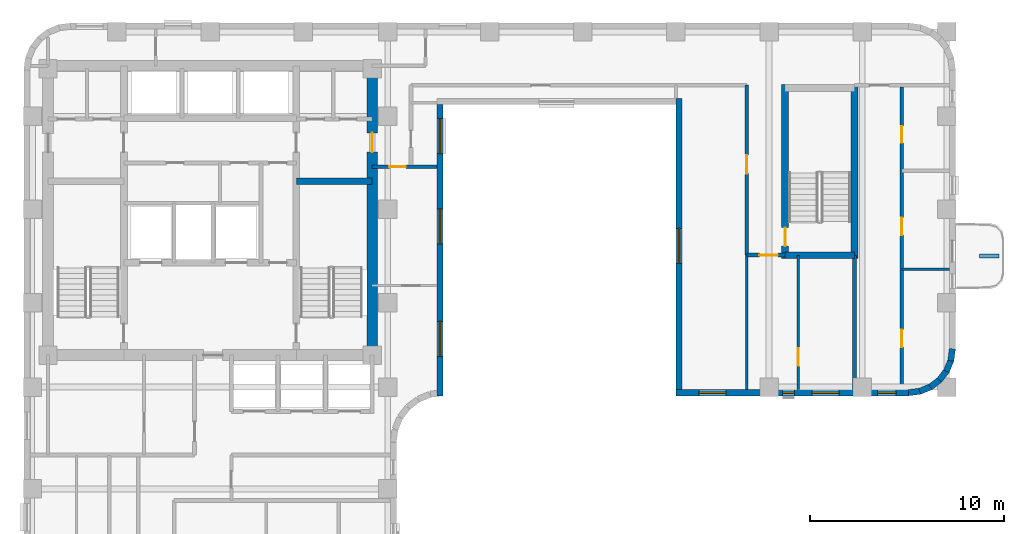
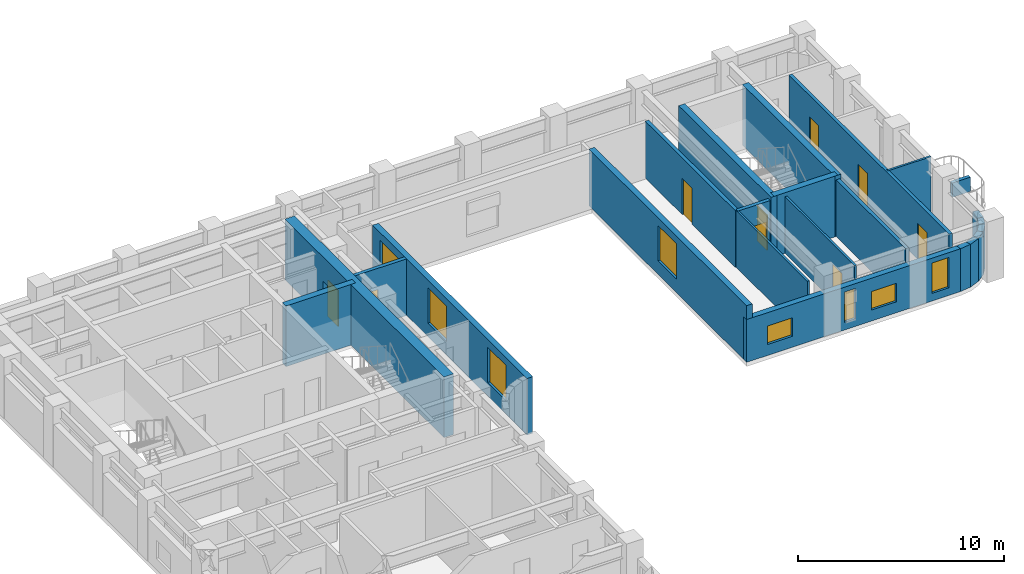
# One storey, part 5 of 10: 23 walls, 9 doors, 8 windows, 17 openings.
"""IFC4 building model written with IfcOpenShell, lengths in metres."""

from ifc_helpers import new_model, si_unit, direction, frame, frame_2d, origin, place, context, subcontext, project, spatial, rectangle, extrude, material, layer, layer_set, type_object, element, fill, save


model = new_model("IFC4")

# Units and contexts
model_context = context("Model", 3, precision=1e-05, world=origin(), true_north=direction((0.0, 1.0)))
body_context = subcontext(model_context, "Body", "Model", "MODEL_VIEW")
ifc_project = project(units=[si_unit("LENGTHUNIT", "METRE"), si_unit("AREAUNIT", "SQUARE_METRE"), si_unit("VOLUMEUNIT", "CUBIC_METRE"), si_unit("PLANEANGLEUNIT", "RADIAN"), si_unit("MASSUNIT", "GRAM", prefix="KILO")], contexts=[model_context])

# Site, building, storey
site_placement = place(None, origin())
site = spatial("IfcSite", under=ifc_project, at=site_placement, CompositionType="ELEMENT")
building_placement = place(site_placement, origin())
building = spatial("IfcBuilding", under=site, at=building_placement, Name="Orvandelia Arch Residences", CompositionType="ELEMENT")
storey_placement = place(building_placement, frame((0.0, 0.0, 182.800048828125)))
storey = spatial("IfcBuildingStorey", under=building, at=storey_placement, Name="L48", CompositionType="ELEMENT", Elevation=182.800048828125)

# Wall
ifc_material_1 = material(Name="Concrete C50/60", Category="concrete")
ifc_layer_1 = layer(ifc_material_1, 0.35009765625, Name="Concrete C50/60", Category="concrete")
ifc_layer_set_1 = layer_set([ifc_layer_1], Name="Concrete C50/60")
wall_type_1 = type_object("IfcWallType", Name="WL-CORE-350", PredefinedType="SHEAR", material=ifc_layer_set_1)
wall_1_placement = place(storey_placement, frame((18.840087890625, 39.85009765625, 0.0), z_axis=(0.0, 0.0, 1.0), x_axis=(1.0, 0.0, 0.0)))
element("IfcWall", 1, at=wall_1_placement, inside=storey, type_object=wall_type_1, Name="Core Shear Wall L48-HZ2", PredefinedType="SHEAR", context=body_context, shape_type="SweptSolid", body=[
    extrude(rectangle(XDim=3.909912109375, YDim=0.35009765625, at=frame_2d((1.955078125, 0.0))), origin(), (0.0, 0.0, 1.0), 3.599853515625),
])

# Wall, opening, door
wall_2_placement = place(storey_placement, frame((44.02001953125, 35.864990234375, 0.0), z_axis=(0.0, 0.0, 1.0), x_axis=(0.0, 1.0, 0.0)))
wall_2 = element("IfcWall", 2, at=wall_2_placement, inside=storey, type_object=wall_type_1, Name="East Stair Core Shear Wall L48-W", PredefinedType="SHEAR", context=body_context, shape_type="SweptSolid", body=[
    extrude(rectangle(XDim=8.969970703125, YDim=0.35009765625, at=frame_2d((4.48486328125, 0.0))), origin(), (0.0, 0.0, 1.0), 3.599853515625),
])
opening_1_placement = place(wall_2_placement, frame((0.64990234375, 0.0, 0.0)))
opening_1 = element("IfcOpeningElement", 3, at=opening_1_placement, cuts=wall_2, Name="Opening D7", PredefinedType="OPENING", context=body_context, shape_type="SweptSolid", body=[
    extrude(rectangle(XDim=0.949951171875, YDim=2.10009765625, at=frame_2d((0.47509765625, 1.050048828125))), frame((0.0, 0.18505859375, 0.0), z_axis=(0.0, -1.0, 0.0), x_axis=(1.0, 0.0, 0.0)), (0.0, 0.0, 1.0), 0.3701171875),
])
ifc_material_2 = material(Name="Pressurised Stairwell Fire Door")
door_type_1 = type_object("IfcDoorType", Name="DR-STAIR-950", OperationType="NOTDEFINED", PredefinedType="DOOR", material=ifc_material_2)
door_1_placement = place(opening_1_placement, origin())
door_1 = element("IfcDoor", 4, at=door_1_placement, inside=storey, type_object=door_type_1, Name="East Stairwell ST-3 Fire Door L48", OperationType="SINGLE_SWING_LEFT", OverallHeight=2.10009765625, OverallWidth=0.949951171875, PredefinedType="DOOR", context=body_context, shape_type="SweptSolid", body=[
    extrude(rectangle(XDim=0.949951171875, YDim=2.10009765625, at=frame_2d((0.47509765625, 1.050048828125))), frame((0.0, 0.02490234375, 0.0), z_axis=(0.0, -1.0, 0.0), x_axis=(1.0, 0.0, 0.0)), (0.0, 0.0, 1.0), 0.050048828125),
])
fill(opening_1, door_1)

# Walls
wall_3_placement = place(storey_placement, frame((47.60009765625, 35.864990234375, 0.0), z_axis=(0.0, 0.0, 1.0), x_axis=(0.0, 1.0, 0.0)))
element("IfcWall", 5, at=wall_3_placement, inside=storey, type_object=wall_type_1, Name="East Stair Core Shear Wall L48-E", PredefinedType="SHEAR", context=body_context, shape_type="SweptSolid", body=[
    extrude(rectangle(XDim=8.969970703125, YDim=0.35009765625, at=frame_2d((4.48486328125, 0.0))), origin(), (0.0, 0.0, 1.0), 3.599853515625),
])
wall_4_placement = place(storey_placement, frame((44.02001953125, 36.0400390625, 0.0), z_axis=(0.0, 0.0, 1.0), x_axis=(1.0, 0.0, 0.0)))
element("IfcWall", 6, at=wall_4_placement, inside=storey, type_object=wall_type_1, Name="East Stair Core Shear Wall L48-S", PredefinedType="SHEAR", context=body_context, shape_type="SweptSolid", body=[
    extrude(rectangle(XDim=3.580078125, YDim=0.35009765625, at=frame_2d((1.7900390625, 0.0))), origin(), (0.0, 0.0, 1.0), 3.599853515625),
])

# Wall, opening, door
ifc_material_3 = material(Name="Concrete C60/75", Category="concrete")
ifc_layer_2 = layer(ifc_material_3, 0.550048828125, Name="Concrete C60/75", Category="concrete")
ifc_layer_set_2 = layer_set([ifc_layer_2], Name="Concrete C60/75")
wall_type_2 = type_object("IfcWallType", Name="WL-CORE-550", PredefinedType="SHEAR", material=ifc_layer_set_2)
wall_5_placement = place(storey_placement, frame((22.75, 30.625, 0.0), z_axis=(0.0, 0.0, 1.0), x_axis=(0.0, 1.0, 0.0)))
wall_5 = element("IfcWall", 7, at=wall_5_placement, inside=storey, type_object=wall_type_2, Name="Core Shear Wall L48-E", PredefinedType="SHEAR", context=body_context, shape_type="SweptSolid", body=[
    extrude(rectangle(XDim=15.449951171875, YDim=0.550048828125, at=frame_2d((7.72509765625, 0.0))), origin(), (0.0, 0.0, 1.0), 3.599853515625),
])
opening_2_placement = place(wall_5_placement, frame((10.72509765625, 0.0, 0.0)))
opening_2 = element("IfcOpeningElement", 8, at=opening_2_placement, cuts=wall_5, Name="Opening D6", PredefinedType="OPENING", context=body_context, shape_type="SweptSolid", body=[
    extrude(rectangle(XDim=1.0, YDim=2.14990234375, at=frame_2d((0.5, 1.074951171875))), frame((0.0, 0.28515625, 0.0), z_axis=(0.0, -1.0, 0.0), x_axis=(1.0, 0.0, 0.0)), (0.0, 0.0, 1.0), 0.570068359375),
])
ifc_material_4 = material(Name="Smokeproof Painted Steel Fire Door", Category="steel")
door_type_2 = type_object("IfcDoorType", Name="DR-FD60-1000", OperationType="NOTDEFINED", PredefinedType="DOOR", material=ifc_material_4)
door_2_placement = place(opening_2_placement, origin())
door_2 = element("IfcDoor", 9, at=door_2_placement, inside=storey, type_object=door_type_2, Name="Core East Corridor Link Door L48", OperationType="SINGLE_SWING_LEFT", OverallHeight=2.14990234375, OverallWidth=1.0, PredefinedType="DOOR", context=body_context, shape_type="SweptSolid", body=[
    extrude(rectangle(XDim=1.0, YDim=2.14990234375, at=frame_2d((0.5, 1.074951171875))), frame((0.0, 0.02490234375, 0.0), z_axis=(0.0, -1.0, 0.0), x_axis=(1.0, 0.0, 0.0)), (0.0, 0.0, 1.0), 0.050048828125),
])
fill(opening_2, door_2)

ifc_material_5 = material(Name="Fire-Rated Corridor Partition")
ifc_layer_3 = layer(ifc_material_5, 0.199951171875, Name="Fire-Rated Corridor Partition")
ifc_layer_set_3 = layer_set([ifc_layer_3], Name="Fire-Rated Corridor Partition")
wall_type_3 = type_object("IfcWallType", Name="WL-CORR-200", PredefinedType="PARTITIONING", material=ifc_layer_set_3)
wall_6_placement = place(storey_placement, frame((22.75, 40.60009765625, 0.0), z_axis=(0.0, 0.0, 1.0), x_axis=(1.0, 0.0, 0.0)))
wall_6 = element("IfcWall", 10, at=wall_6_placement, inside=storey, type_object=wall_type_3, Name="Interior Partition Wall WL-L48-ENP-LS", PredefinedType="PARTITIONING", context=body_context, shape_type="SweptSolid", body=[
    extrude(rectangle(XDim=3.330078125, YDim=0.199951171875, at=frame_2d((1.6650390625, 0.0))), origin(), (0.0, 0.0, 1.0), 3.35986328125),
])
opening_3_placement = place(wall_6_placement, frame((0.8798828125, 0.0, 0.0)))
opening_3 = element("IfcOpeningElement", 11, at=opening_3_placement, cuts=wall_6, Name="Opening D4", PredefinedType="OPENING", context=body_context, shape_type="SweptSolid", body=[
    extrude(rectangle(XDim=0.860107421875, YDim=2.10009765625, at=frame_2d((0.43017578125, 1.050048828125))), frame((0.0, 0.10986328125, 0.0), z_axis=(0.0, -1.0, 0.0), x_axis=(1.0, 0.0, 0.0)), (0.0, 0.0, 1.0), 0.219970703125),
])
ifc_material_6 = material(Name="Moisture-Sealed Timber Bathroom Door", Category="wood")
door_type_3 = type_object("IfcDoorType", Name="DR-WET-900", OperationType="NOTDEFINED", PredefinedType="DOOR", material=ifc_material_6)
door_3_placement = place(opening_3_placement, origin())
door_3 = element("IfcDoor", 12, at=door_3_placement, inside=storey, type_object=door_type_3, Name="DR-L48-VPWL2", OperationType="SINGLE_SWING_RIGHT", OverallHeight=2.10009765625, OverallWidth=0.860107421875, PredefinedType="DOOR", context=body_context, shape_type="SweptSolid", body=[
    extrude(rectangle(XDim=0.860107421875, YDim=2.10009765625, at=frame_2d((0.43017578125, 1.050048828125))), frame((0.0, 0.02490234375, 0.0), z_axis=(0.0, -1.0, 0.0), x_axis=(1.0, 0.0, 0.0)), (0.0, 0.0, 1.0), 0.050048828125),
])
fill(opening_3, door_3)

wall_7_placement = place(storey_placement, frame((42.050048828125, 36.050048828125, 0.0), z_axis=(0.0, 0.0, 1.0), x_axis=(0.0, 1.0, 0.0)))
wall_7 = element("IfcWall", 13, at=wall_7_placement, inside=storey, type_object=wall_type_3, Name="Interior Partition Wall WL-L48-ENP-SW", PredefinedType="PARTITIONING", context=body_context, shape_type="SweptSolid", body=[
    extrude(rectangle(XDim=8.75, YDim=0.199951171875, at=frame_2d((4.375, 0.0))), origin(), (0.0, 0.0, 1.0), 3.35986328125),
])
opening_4_placement = place(wall_7_placement, frame((4.199951171875, 0.0, 0.0)))
opening_4 = element("IfcOpeningElement", 14, at=opening_4_placement, cuts=wall_7, Name="Opening D2", PredefinedType="OPENING", context=body_context, shape_type="SweptSolid", body=[
    extrude(rectangle(XDim=0.949951171875, YDim=2.14990234375, at=frame_2d((0.47509765625, 1.074951171875))), frame((0.0, 0.10986328125, 0.0), z_axis=(0.0, -1.0, 0.0), x_axis=(1.0, 0.0, 0.0)), (0.0, 0.0, 1.0), 0.219970703125),
])
ifc_material_7 = material(Name="Solid-Core Timber Interior Fire Door", Category="wood")
door_type_4 = type_object("IfcDoorType", Name="DR-APT-950", OperationType="NOTDEFINED", PredefinedType="DOOR", material=ifc_material_7)
door_4_placement = place(opening_4_placement, origin())
door_4 = element("IfcDoor", 15, at=door_4_placement, inside=storey, type_object=door_type_4, Name="DR-L48-VPE1", OperationType="SINGLE_SWING_LEFT", OverallHeight=2.14990234375, OverallWidth=0.949951171875, PredefinedType="DOOR", context=body_context, shape_type="SweptSolid", body=[
    extrude(rectangle(XDim=0.949951171875, YDim=2.14990234375, at=frame_2d((0.47509765625, 1.074951171875))), frame((0.0, 0.02490234375, 0.0), z_axis=(0.0, -1.0, 0.0), x_axis=(1.0, 0.0, 0.0)), (0.0, 0.0, 1.0), 0.050048828125),
])
fill(opening_4, door_4)

wall_8_placement = place(storey_placement, frame((42.050048828125, 36.050048828125, 0.0), z_axis=(0.0, 0.0, 1.0), x_axis=(1.0, 0.0, 0.0)))
wall_8 = element("IfcWall", 16, at=wall_8_placement, inside=storey, type_object=wall_type_3, Name="Interior Partition Wall WL-L48-ENP-SS", PredefinedType="PARTITIONING", context=body_context, shape_type="SweptSolid", body=[
    extrude(rectangle(XDim=1.969970703125, YDim=0.199951171875, at=frame_2d((0.98486328125, 0.0))), origin(), (0.0, 0.0, 1.0), 3.35986328125),
])
opening_5_placement = place(wall_8_placement, frame((0.64990234375, 0.0, 0.0)))
opening_5 = element("IfcOpeningElement", 17, at=opening_5_placement, cuts=wall_8, Name="Opening D2", PredefinedType="OPENING", context=body_context, shape_type="SweptSolid", body=[
    extrude(rectangle(XDim=0.949951171875, YDim=2.14990234375, at=frame_2d((0.47509765625, 1.074951171875))), frame((0.0, 0.10986328125, 0.0), z_axis=(0.0, -1.0, 0.0), x_axis=(1.0, 0.0, 0.0)), (0.0, 0.0, 1.0), 0.219970703125),
])
door_5_placement = place(opening_5_placement, origin())
door_5 = element("IfcDoor", 18, at=door_5_placement, inside=storey, type_object=door_type_4, Name="DR-L48-VPS3A", OperationType="SINGLE_SWING_LEFT", OverallHeight=2.14990234375, OverallWidth=0.949951171875, PredefinedType="DOOR", context=body_context, shape_type="SweptSolid", body=[
    extrude(rectangle(XDim=0.949951171875, YDim=2.14990234375, at=frame_2d((0.47509765625, 1.074951171875))), frame((0.0, 0.02490234375, 0.0), z_axis=(0.0, -1.0, 0.0), x_axis=(1.0, 0.0, 0.0)), (0.0, 0.0, 1.0), 0.050048828125),
])
fill(opening_5, door_5)

# Walls
ifc_material_8 = material(Name="Concrete C40/50", Category="concrete")
ifc_layer_4 = layer(ifc_material_8, 0.199951171875, Name="Concrete C40/50", Category="concrete")
ifc_layer_set_4 = layer_set([ifc_layer_4], Name="Concrete C40/50")
wall_type_4 = type_object("IfcWallType", Name="WL-DEM-200", PredefinedType="SOLIDWALL", material=ifc_layer_set_4)
wall_9_placement = place(storey_placement, frame((47.60009765625, 29.1201171875, 0.0), z_axis=(0.0, 0.0, 1.0), x_axis=(0.0, 1.0, 0.0)))
element("IfcWall", 19, at=wall_9_placement, inside=storey, type_object=wall_type_4, Name="Interior Partition Wall WL-L48-VPS3-E", PredefinedType="SOLIDWALL", context=body_context, shape_type="SweptSolid", body=[
    extrude(rectangle(XDim=6.919921875, YDim=0.199951171875, at=frame_2d((3.4599609375, 0.0))), origin(), (0.0, 0.0, 1.0), 3.35986328125),
])
ifc_material_9 = material(Name="Precast concrete C40/50", Category="concrete")
ifc_layer_5 = layer(ifc_material_9, 0.320068359375, Name="Precast concrete C40/50", Category="concrete")
ifc_layer_set_5 = layer_set([ifc_layer_5], Name="Precast concrete C40/50")
wall_type_5 = type_object("IfcWallType", Name="WL-EXT-STONE-320", PredefinedType="STANDARD", material=ifc_layer_set_5)
wall_10_placement = place(storey_placement, frame((52.641357421875, 31.220947265625, 0.0), z_axis=(0.0, 0.0, 1.0), x_axis=(-0.130504898859, -0.991447664465, 0.0)))
element("IfcWall", 20, at=wall_10_placement, inside=storey, type_object=wall_type_5, Name="Coral-Limestone Precast Facade Wall L48-015", PredefinedType="STANDARD", context=body_context, shape_type="SweptSolid", body=[
    extrude(rectangle(XDim=0.626708984375, YDim=0.320068359375, at=frame_2d((0.3134765625, 0.0))), origin(), (0.0, 0.0, 1.0), 2.5400390625),
])
wall_11_placement = place(storey_placement, frame((52.5703125, 30.639892578125, 0.0), z_axis=(0.0, 0.0, 1.0), x_axis=(-0.382455093999, -0.923974080304, 0.0)))
element("IfcWall", 21, at=wall_11_placement, inside=storey, type_object=wall_type_5, Name="Coral-Limestone Precast Facade Wall L48-016", PredefinedType="STANDARD", context=body_context, shape_type="SweptSolid", body=[
    extrude(rectangle(XDim=0.626220703125, YDim=0.320068359375, at=frame_2d((0.31298828125, 0.0))), origin(), (0.0, 0.0, 1.0), 2.5400390625),
])
wall_12_placement = place(storey_placement, frame((52.3515625, 30.097412109375, 0.0), z_axis=(0.0, 0.0, 1.0), x_axis=(-0.608693302629, -0.793405610854, 0.0)))
element("IfcWall", 22, at=wall_12_placement, inside=storey, type_object=wall_type_5, Name="Coral-Limestone Precast Facade Wall L48-017", PredefinedType="STANDARD", context=body_context, shape_type="SweptSolid", body=[
    extrude(rectangle(XDim=0.62646484375, YDim=0.320068359375, at=frame_2d((0.313232421875, 0.0))), origin(), (0.0, 0.0, 1.0), 2.5400390625),
])
wall_13_placement = place(storey_placement, frame((51.999755859375, 29.6298828125, 0.0), z_axis=(0.0, 0.0, 1.0), x_axis=(-0.7932174212, -0.608938521285, 0.0)))
element("IfcWall", 23, at=wall_13_placement, inside=storey, type_object=wall_type_5, Name="Coral-Limestone Precast Facade Wall L48-018", PredefinedType="STANDARD", context=body_context, shape_type="SweptSolid", body=[
    extrude(rectangle(XDim=0.626708984375, YDim=0.320068359375, at=frame_2d((0.3134765625, 0.0))), origin(), (0.0, 0.0, 1.0), 2.5400390625),
])
for number, where, z_axis, x_axis, name in (
    (24, (51.538818359375, 29.269287109375, 0.0), (0.0, 0.0, 1.0), (-0.92389335771, -0.382650053678, 0.0), "Coral-Limestone Precast Facade Wall L48-019"),
    (25, (51.000244140625, 29.040283203125, 0.0), (0.0, 0.0, 1.0), (-0.9914410257, -0.130555323746, 0.0), "Coral-Limestone Precast Facade Wall L48-020"),
):
    element("IfcWall", number, at=place(storey_placement, frame(where, z_axis=z_axis, x_axis=x_axis)), inside=storey, type_object=wall_type_5, Name=name, PredefinedType="STANDARD", context=body_context, shape_type="SweptSolid", body=[
        extrude(rectangle(XDim=0.62646484375, YDim=0.320068359375, at=frame_2d((0.313232421875, 0.0))), origin(), (0.0, 0.0, 1.0), 2.5400390625),
    ])

# Wall, openings, windows
wall_14_placement = place(storey_placement, frame((50.39990234375, 28.9599609375, 0.0), z_axis=(0.0, 0.0, 1.0), x_axis=(-1.0, 0.0, 0.0)))
wall_14 = element("IfcWall", 26, at=wall_14_placement, inside=storey, type_object=wall_type_5, Name="Coral-Limestone Precast Facade Wall L48-021", PredefinedType="STANDARD", context=body_context, shape_type="SweptSolid", body=[
    extrude(rectangle(XDim=12.0, YDim=0.320068359375, at=frame_2d((6.0, 0.0))), origin(), (0.0, 0.0, 1.0), 2.5400390625),
])
opening_6_placement = place(wall_14_placement, frame((0.656005859375, 0.0, 0.449951171875)))
opening_6 = element("IfcOpeningElement", 27, at=opening_6_placement, cuts=wall_14, Name="Opening W4", PredefinedType="OPENING", context=body_context, shape_type="SweptSolid", body=[
    extrude(rectangle(XDim=0.949951171875, YDim=1.800048828125, at=frame_2d((0.47509765625, 0.89990234375))), frame((0.0, 0.169921875, 0.0), z_axis=(0.0, -1.0, 0.0), x_axis=(1.0, 0.0, 0.0)), (0.0, 0.0, 1.0), 0.340087890625),
])
opening_7_placement = place(wall_14_placement, frame((9.425048828125, 0.0, 0.64990234375)))
opening_7 = element("IfcOpeningElement", 28, at=opening_7_placement, cuts=wall_14, Name="Opening W10", PredefinedType="OPENING", context=body_context, shape_type="SweptSolid", body=[
    extrude(rectangle(XDim=1.39990234375, YDim=1.10009765625, at=frame_2d((0.699951171875, 0.550048828125))), frame((0.0, 0.169921875, 0.0), z_axis=(0.0, -1.0, 0.0), x_axis=(1.0, 0.0, 0.0)), (0.0, 0.0, 1.0), 0.340087890625),
])
opening_8_placement = place(wall_14_placement, frame((5.902587890625, 0.0, 0.449951171875)))
opening_8 = element("IfcOpeningElement", 29, at=opening_8_placement, cuts=wall_14, Name="Opening W12", PredefinedType="OPENING", context=body_context, shape_type="SweptSolid", body=[
    extrude(rectangle(XDim=0.60009765625, YDim=1.800048828125, at=frame_2d((0.300048828125, 0.89990234375))), frame((0.0, 0.169921875, 0.0), z_axis=(0.0, -1.0, 0.0), x_axis=(1.0, 0.0, 0.0)), (0.0, 0.0, 1.0), 0.340087890625),
])
opening_9_placement = place(wall_14_placement, frame((3.597412109375, 0.0, 0.64990234375)))
opening_9 = element("IfcOpeningElement", 30, at=opening_9_placement, cuts=wall_14, Name="Opening W10", PredefinedType="OPENING", context=body_context, shape_type="SweptSolid", body=[
    extrude(rectangle(XDim=1.39990234375, YDim=1.10009765625, at=frame_2d((0.699951171875, 0.550048828125))), frame((0.0, 0.169921875, 0.0), z_axis=(0.0, -1.0, 0.0), x_axis=(1.0, 0.0, 0.0)), (0.0, 0.0, 1.0), 0.340087890625),
])
ifc_material_10 = material(Name="Tempered Low-E Insulated Glazing", Category="glass")
window_type_1 = type_object("IfcWindowType", Name="WIN-CLR-1400x1100", PartitioningType="SINGLE_PANEL", PredefinedType="WINDOW", material=ifc_material_10)
window_1_placement = place(opening_7_placement, origin())
window_1 = element("IfcWindow", 31, at=window_1_placement, inside=storey, type_object=window_type_1, Name="Recessed Punched Window L48-008", OverallHeight=1.10009765625, OverallWidth=1.39990234375, PartitioningType="SINGLE_PANEL", PredefinedType="WINDOW", context=body_context, shape_type="SweptSolid", body=[
    extrude(rectangle(XDim=1.39990234375, YDim=1.10009765625, at=frame_2d((0.699951171875, 0.550048828125))), frame((0.0, 0.030029296875, 0.0), z_axis=(0.0, -1.0, 0.0), x_axis=(1.0, 0.0, 0.0)), (0.0, 0.0, 1.0), 0.06005859375),
])
fill(opening_7, window_1)
window_2_placement = place(opening_9_placement, origin())
window_2 = element("IfcWindow", 32, at=window_2_placement, inside=storey, type_object=window_type_1, Name="Recessed Punched Window L48-010", OverallHeight=1.10009765625, OverallWidth=1.39990234375, PartitioningType="SINGLE_PANEL", PredefinedType="WINDOW", context=body_context, shape_type="SweptSolid", body=[
    extrude(rectangle(XDim=1.39990234375, YDim=1.10009765625, at=frame_2d((0.699951171875, 0.550048828125))), frame((0.0, 0.030029296875, 0.0), z_axis=(0.0, -1.0, 0.0), x_axis=(1.0, 0.0, 0.0)), (0.0, 0.0, 1.0), 0.06005859375),
])
fill(opening_9, window_2)
window_type_2 = type_object("IfcWindowType", Name="WIN-LAN-0600x1800", PartitioningType="SINGLE_PANEL", PredefinedType="WINDOW", material=ifc_material_10)
window_3_placement = place(opening_8_placement, origin())
window_3 = element("IfcWindow", 33, at=window_3_placement, inside=storey, type_object=window_type_2, Name="Recessed Punched Window L48-009", OverallHeight=1.800048828125, OverallWidth=0.60009765625, PartitioningType="SINGLE_PANEL", PredefinedType="WINDOW", context=body_context, shape_type="SweptSolid", body=[
    extrude(rectangle(XDim=0.60009765625, YDim=1.800048828125, at=frame_2d((0.300048828125, 0.89990234375))), frame((0.0, 0.030029296875, 0.0), z_axis=(0.0, -1.0, 0.0), x_axis=(1.0, 0.0, 0.0)), (0.0, 0.0, 1.0), 0.06005859375),
])
fill(opening_8, window_3)
window_type_3 = type_object("IfcWindowType", Name="WIN-RES-0950x1800", PartitioningType="SINGLE_PANEL", PredefinedType="WINDOW", material=ifc_material_10)
window_4_placement = place(opening_6_placement, origin())
window_4 = element("IfcWindow", 34, at=window_4_placement, inside=storey, type_object=window_type_3, Name="Recessed Punched Window L48-007", OverallHeight=1.800048828125, OverallWidth=0.949951171875, PartitioningType="SINGLE_PANEL", PredefinedType="WINDOW", context=body_context, shape_type="SweptSolid", body=[
    extrude(rectangle(XDim=0.949951171875, YDim=1.800048828125, at=frame_2d((0.47509765625, 0.89990234375))), frame((0.0, 0.030029296875, 0.0), z_axis=(0.0, -1.0, 0.0), x_axis=(1.0, 0.0, 0.0)), (0.0, 0.0, 1.0), 0.06005859375),
])
fill(opening_6, window_4)

# Wall, opening, window
wall_15_placement = place(storey_placement, frame((38.56005859375, 28.800048828125, 0.0), z_axis=(0.0, 0.0, 1.0), x_axis=(0.0, 1.0, 0.0)))
wall_15 = element("IfcWall", 35, at=wall_15_placement, inside=storey, type_object=wall_type_5, Name="Coral-Limestone Precast Facade Wall L48-022", PredefinedType="STANDARD", context=body_context, shape_type="SweptSolid", body=[
    extrude(rectangle(XDim=15.320068359375, YDim=0.320068359375, at=frame_2d((7.66015625, 0.0))), origin(), (0.0, 0.0, 1.0), 3.35986328125),
])
opening_10_placement = place(wall_15_placement, frame((6.820068359375, 0.0, 0.800048828125)))
opening_10 = element("IfcOpeningElement", 36, at=opening_10_placement, cuts=wall_15, Name="Opening W1", PredefinedType="OPENING", context=body_context, shape_type="SweptSolid", body=[
    extrude(rectangle(XDim=1.800048828125, YDim=2.10009765625, at=frame_2d((0.89990234375, 1.050048828125))), frame((0.0, 0.169921875, 0.0), z_axis=(0.0, -1.0, 0.0), x_axis=(1.0, 0.0, 0.0)), (0.0, 0.0, 1.0), 0.340087890625),
])
window_type_4 = type_object("IfcWindowType", Name="WIN-RES-1800x2100", PartitioningType="SINGLE_PANEL", PredefinedType="WINDOW", material=ifc_material_10)
window_5_placement = place(opening_10_placement, origin())
window_5 = element("IfcWindow", 37, at=window_5_placement, inside=storey, type_object=window_type_4, Name="Recessed Punched Window L48-011", OverallHeight=2.10009765625, OverallWidth=1.800048828125, PartitioningType="SINGLE_PANEL", PredefinedType="WINDOW", context=body_context, shape_type="SweptSolid", body=[
    extrude(rectangle(XDim=1.800048828125, YDim=2.10009765625, at=frame_2d((0.89990234375, 1.050048828125))), frame((0.0, 0.030029296875, 0.0), z_axis=(0.0, -1.0, 0.0), x_axis=(1.0, 0.0, 0.0)), (0.0, 0.0, 1.0), 0.06005859375),
])
fill(opening_10, window_5)

# Wall, openings, windows
wall_16_placement = place(storey_placement, frame((26.239990234375, 43.800048828125, 0.0), z_axis=(0.0, 0.0, 1.0), x_axis=(0.0, -1.0, 0.0)))
wall_16 = element("IfcWall", 38, at=wall_16_placement, inside=storey, type_object=wall_type_5, Name="Coral-Limestone Precast Facade Wall L48-024", PredefinedType="STANDARD", context=body_context, shape_type="SweptSolid", body=[
    extrude(rectangle(XDim=15.0, YDim=0.320068359375, at=frame_2d((7.5, 0.0))), origin(), (0.0, 0.0, 1.0), 3.35986328125),
])
opening_11_placement = place(wall_16_placement, frame((11.169921875, 0.0, 0.800048828125)))
opening_11 = element("IfcOpeningElement", 39, at=opening_11_placement, cuts=wall_16, Name="Opening W1", PredefinedType="OPENING", context=body_context, shape_type="SweptSolid", body=[
    extrude(rectangle(XDim=1.800048828125, YDim=2.10009765625, at=frame_2d((0.89990234375, 1.050048828125))), frame((0.0, 0.169921875, 0.0), z_axis=(0.0, -1.0, 0.0), x_axis=(1.0, 0.0, 0.0)), (0.0, 0.0, 1.0), 0.340087890625),
])
opening_12_placement = place(wall_16_placement, frame((5.3701171875, 0.0, 0.800048828125)))
opening_12 = element("IfcOpeningElement", 40, at=opening_12_placement, cuts=wall_16, Name="Opening W1", PredefinedType="OPENING", context=body_context, shape_type="SweptSolid", body=[
    extrude(rectangle(XDim=1.800048828125, YDim=2.10009765625, at=frame_2d((0.89990234375, 1.050048828125))), frame((0.0, 0.169921875, 0.0), z_axis=(0.0, -1.0, 0.0), x_axis=(1.0, 0.0, 0.0)), (0.0, 0.0, 1.0), 0.340087890625),
])
opening_13_placement = place(wall_16_placement, frame((0.719970703125, 0.0, 0.800048828125)))
opening_13 = element("IfcOpeningElement", 41, at=opening_13_placement, cuts=wall_16, Name="Opening W1", PredefinedType="OPENING", context=body_context, shape_type="SweptSolid", body=[
    extrude(rectangle(XDim=1.800048828125, YDim=2.10009765625, at=frame_2d((0.89990234375, 1.050048828125))), frame((0.0, 0.169921875, 0.0), z_axis=(0.0, -1.0, 0.0), x_axis=(1.0, 0.0, 0.0)), (0.0, 0.0, 1.0), 0.340087890625),
])
window_6_placement = place(opening_11_placement, origin())
window_6 = element("IfcWindow", 42, at=window_6_placement, inside=storey, type_object=window_type_4, Name="Recessed Punched Window L48-013", OverallHeight=2.10009765625, OverallWidth=1.800048828125, PartitioningType="SINGLE_PANEL", PredefinedType="WINDOW", context=body_context, shape_type="SweptSolid", body=[
    extrude(rectangle(XDim=1.800048828125, YDim=2.10009765625, at=frame_2d((0.89990234375, 1.050048828125))), frame((0.0, 0.030029296875, 0.0), z_axis=(0.0, -1.0, 0.0), x_axis=(1.0, 0.0, 0.0)), (0.0, 0.0, 1.0), 0.06005859375),
])
fill(opening_11, window_6)
window_7_placement = place(opening_12_placement, origin())
window_7 = element("IfcWindow", 43, at=window_7_placement, inside=storey, type_object=window_type_4, Name="Recessed Punched Window L48-014", OverallHeight=2.10009765625, OverallWidth=1.800048828125, PartitioningType="SINGLE_PANEL", PredefinedType="WINDOW", context=body_context, shape_type="SweptSolid", body=[
    extrude(rectangle(XDim=1.800048828125, YDim=2.10009765625, at=frame_2d((0.89990234375, 1.050048828125))), frame((0.0, 0.030029296875, 0.0), z_axis=(0.0, -1.0, 0.0), x_axis=(1.0, 0.0, 0.0)), (0.0, 0.0, 1.0), 0.06005859375),
])
fill(opening_12, window_7)
window_8_placement = place(opening_13_placement, origin())
window_8 = element("IfcWindow", 44, at=window_8_placement, inside=storey, type_object=window_type_4, Name="Recessed Punched Window L48-015", OverallHeight=2.10009765625, OverallWidth=1.800048828125, PartitioningType="SINGLE_PANEL", PredefinedType="WINDOW", context=body_context, shape_type="SweptSolid", body=[
    extrude(rectangle(XDim=1.800048828125, YDim=2.10009765625, at=frame_2d((0.89990234375, 1.050048828125))), frame((0.0, 0.030029296875, 0.0), z_axis=(0.0, -1.0, 0.0), x_axis=(1.0, 0.0, 0.0)), (0.0, 0.0, 1.0), 0.06005859375),
])
fill(opening_13, window_8)

# Wall, opening, door
ifc_material_11 = material(Name="Lightweight Gypsum Stud Partition")
ifc_layer_6 = layer(ifc_material_11, 0.1201171875, Name="Lightweight Gypsum Stud Partition")
ifc_layer_set_6 = layer_set([ifc_layer_6], Name="Lightweight Gypsum Stud Partition")
wall_type_6 = type_object("IfcWallType", Name="WL-PART-120", PredefinedType="PARTITIONING", material=ifc_layer_set_6)
wall_17_placement = place(storey_placement, frame((44.699951171875, 29.1201171875, 0.0), z_axis=(0.0, 0.0, 1.0), x_axis=(0.0, 1.0, 0.0)))
wall_17 = element("IfcWall", 45, at=wall_17_placement, inside=storey, type_object=wall_type_6, Name="Interior Partition Wall WL-L48-VPS3-M", PredefinedType="PARTITIONING", context=body_context, shape_type="SweptSolid", body=[
    extrude(rectangle(XDim=6.919921875, YDim=0.1201171875, at=frame_2d((3.4599609375, 0.0))), origin(), (0.0, 0.0, 1.0), 3.35986328125),
])
opening_14_placement = place(wall_17_placement, frame((1.239990234375, 0.0, 0.0)))
opening_14 = element("IfcOpeningElement", 46, at=opening_14_placement, cuts=wall_17, Name="Opening D3", PredefinedType="OPENING", context=body_context, shape_type="SweptSolid", body=[
    extrude(rectangle(XDim=0.89990234375, YDim=2.14990234375, at=frame_2d((0.449951171875, 1.074951171875))), frame((0.0, 0.070068359375, 0.0), z_axis=(0.0, -1.0, 0.0), x_axis=(1.0, 0.0, 0.0)), (0.0, 0.0, 1.0), 0.14013671875),
])
ifc_material_12 = material(Name="Engineered Timber Flush Door", Category="wood")
door_type_5 = type_object("IfcDoorType", Name="DR-INT-900", OperationType="NOTDEFINED", PredefinedType="DOOR", material=ifc_material_12)
door_6_placement = place(opening_14_placement, origin())
door_6 = element("IfcDoor", 47, at=door_6_placement, inside=storey, type_object=door_type_5, Name="DR-L48-VPS3B", OperationType="SINGLE_SWING_RIGHT", OverallHeight=2.14990234375, OverallWidth=0.89990234375, PredefinedType="DOOR", context=body_context, shape_type="SweptSolid", body=[
    extrude(rectangle(XDim=0.89990234375, YDim=2.14990234375, at=frame_2d((0.449951171875, 1.074951171875))), frame((0.0, 0.02490234375, 0.0), z_axis=(0.0, -1.0, 0.0), x_axis=(1.0, 0.0, 0.0)), (0.0, 0.0, 1.0), 0.050048828125),
])
fill(opening_14, door_6)

# Walls
wall_18_placement = place(storey_placement, frame((42.050048828125, 29.1201171875, 0.0), z_axis=(0.0, 0.0, 1.0), x_axis=(0.0, 1.0, 0.0)))
element("IfcWall", 48, at=wall_18_placement, inside=storey, type_object=wall_type_6, Name="Interior Partition Wall WL-L48-VPS3-W", PredefinedType="PARTITIONING", context=body_context, shape_type="SweptSolid", body=[
    extrude(rectangle(XDim=6.929931640625, YDim=0.1201171875, at=frame_2d((3.46484375, 0.0))), origin(), (0.0, 0.0, 1.0), 3.35986328125),
])
wall_19_placement = place(storey_placement, frame((50.04296875, 35.31591796875, 0.0), z_axis=(0.0, 0.0, 1.0), x_axis=(1.0, 0.0, 0.0)))
element("IfcWall", 49, at=wall_19_placement, inside=storey, type_object=wall_type_6, Name="Interior Partition Wall WL-L48-U05-H1", PredefinedType="PARTITIONING", context=body_context, shape_type="SweptSolid", body=[
    extrude(rectangle(XDim=2.43701171875, YDim=0.1201171875, at=frame_2d((1.218505859375, 0.0))), origin(), (0.0, 0.0, 1.0), 3.35986328125),
])
ifc_layer_7 = layer(ifc_material_9, 0.199951171875, Name="Precast concrete C40/50", Category="concrete")
ifc_layer_set_7 = layer_set([ifc_layer_7], Name="Precast concrete C40/50")
wall_type_7 = type_object("IfcWallType", Name="WL-PLANTER-200", PredefinedType="MOVABLE", material=ifc_layer_set_7)
wall_20_placement = place(storey_placement, frame((54.050048828125, 36.0, 0.0), z_axis=(0.0, 0.0, 1.0), x_axis=(1.0, 0.0, 0.0)))
element("IfcWall", 50, at=wall_20_placement, inside=storey, type_object=wall_type_7, Name="Balcony Precast Tree Planter BAL-L48-E1", PredefinedType="MOVABLE", context=body_context, shape_type="SweptSolid", body=[
    extrude(rectangle(XDim=1.0, YDim=0.199951171875, at=frame_2d((0.5, 0.0))), origin(), (0.0, 0.0, 1.0), 0.849853515625),
])

# Wall, openings, doors
ifc_material_13 = material(Name="Moisture-Resistant Plumbing Wall")
ifc_layer_8 = layer(ifc_material_13, 0.179931640625, Name="Moisture-Resistant Plumbing Wall")
ifc_layer_set_8 = layer_set([ifc_layer_8], Name="Moisture-Resistant Plumbing Wall")
wall_type_8 = type_object("IfcWallType", Name="WL-WET-180", PredefinedType="PLUMBINGWALL", material=ifc_layer_set_8)
wall_21_placement = place(storey_placement, frame((50.04296875, 29.1201171875, 0.0), z_axis=(0.0, 0.0, 1.0), x_axis=(0.0, 1.0, 0.0)))
wall_21 = element("IfcWall", 51, at=wall_21_placement, inside=storey, type_object=wall_type_8, Name="Interior Partition Wall WL-L48-U05-VT", PredefinedType="PLUMBINGWALL", context=body_context, shape_type="SweptSolid", body=[
    extrude(rectangle(XDim=15.579833984375, YDim=0.179931640625, at=frame_2d((7.7900390625, 0.0))), origin(), (0.0, 0.0, 1.0), 3.35986328125),
])
opening_15_placement = place(wall_21_placement, frame((2.1826171875, 0.0, 0.0)))
opening_15 = element("IfcOpeningElement", 52, at=opening_15_placement, cuts=wall_21, Name="Opening D3", PredefinedType="OPENING", context=body_context, shape_type="SweptSolid", body=[
    extrude(rectangle(XDim=0.89990234375, YDim=2.14990234375, at=frame_2d((0.449951171875, 1.074951171875))), frame((0.0, 0.10009765625, 0.0), z_axis=(0.0, -1.0, 0.0), x_axis=(1.0, 0.0, 0.0)), (0.0, 0.0, 1.0), 0.199951171875),
])
opening_16_placement = place(wall_21_placement, frame((7.958740234375, 0.0, 0.0)))
opening_16 = element("IfcOpeningElement", 53, at=opening_16_placement, cuts=wall_21, Name="Opening D3", PredefinedType="OPENING", context=body_context, shape_type="SweptSolid", body=[
    extrude(rectangle(XDim=0.89990234375, YDim=2.14990234375, at=frame_2d((0.449951171875, 1.074951171875))), frame((0.0, 0.10009765625, 0.0), z_axis=(0.0, -1.0, 0.0), x_axis=(1.0, 0.0, 0.0)), (0.0, 0.0, 1.0), 0.199951171875),
])
opening_17_placement = place(wall_21_placement, frame((12.710693359375, 0.0, 0.0)))
opening_17 = element("IfcOpeningElement", 54, at=opening_17_placement, cuts=wall_21, Name="Opening D4", PredefinedType="OPENING", context=body_context, shape_type="SweptSolid", body=[
    extrude(rectangle(XDim=0.860107421875, YDim=2.10009765625, at=frame_2d((0.43017578125, 1.050048828125))), frame((0.0, 0.10009765625, 0.0), z_axis=(0.0, -1.0, 0.0), x_axis=(1.0, 0.0, 0.0)), (0.0, 0.0, 1.0), 0.199951171875),
])
door_7_placement = place(opening_15_placement, origin())
door_7 = element("IfcDoor", 55, at=door_7_placement, inside=storey, type_object=door_type_5, Name="DR-L48-U05-BD1", OperationType="SINGLE_SWING_LEFT", OverallHeight=2.14990234375, OverallWidth=0.89990234375, PredefinedType="DOOR", context=body_context, shape_type="SweptSolid", body=[
    extrude(rectangle(XDim=0.89990234375, YDim=2.14990234375, at=frame_2d((0.449951171875, 1.074951171875))), frame((0.0, 0.02490234375, 0.0), z_axis=(0.0, -1.0, 0.0), x_axis=(1.0, 0.0, 0.0)), (0.0, 0.0, 1.0), 0.050048828125),
])
fill(opening_15, door_7)
door_8_placement = place(opening_16_placement, origin())
door_8 = element("IfcDoor", 56, at=door_8_placement, inside=storey, type_object=door_type_5, Name="DR-L48-U05-KIT", OperationType="SINGLE_SWING_RIGHT", OverallHeight=2.14990234375, OverallWidth=0.89990234375, PredefinedType="DOOR", context=body_context, shape_type="SweptSolid", body=[
    extrude(rectangle(XDim=0.89990234375, YDim=2.14990234375, at=frame_2d((0.449951171875, 1.074951171875))), frame((0.0, 0.02490234375, 0.0), z_axis=(0.0, -1.0, 0.0), x_axis=(1.0, 0.0, 0.0)), (0.0, 0.0, 1.0), 0.050048828125),
])
fill(opening_16, door_8)
door_9_placement = place(opening_17_placement, origin())
door_9 = element("IfcDoor", 57, at=door_9_placement, inside=storey, type_object=door_type_3, Name="DR-L48-U05-BTH", OperationType="SINGLE_SWING_LEFT", OverallHeight=2.10009765625, OverallWidth=0.860107421875, PredefinedType="DOOR", context=body_context, shape_type="SweptSolid", body=[
    extrude(rectangle(XDim=0.860107421875, YDim=2.10009765625, at=frame_2d((0.43017578125, 1.050048828125))), frame((0.0, 0.02490234375, 0.0), z_axis=(0.0, -1.0, 0.0), x_axis=(1.0, 0.0, 0.0)), (0.0, 0.0, 1.0), 0.050048828125),
])
fill(opening_17, door_9)

save(model, "model.ifc")
